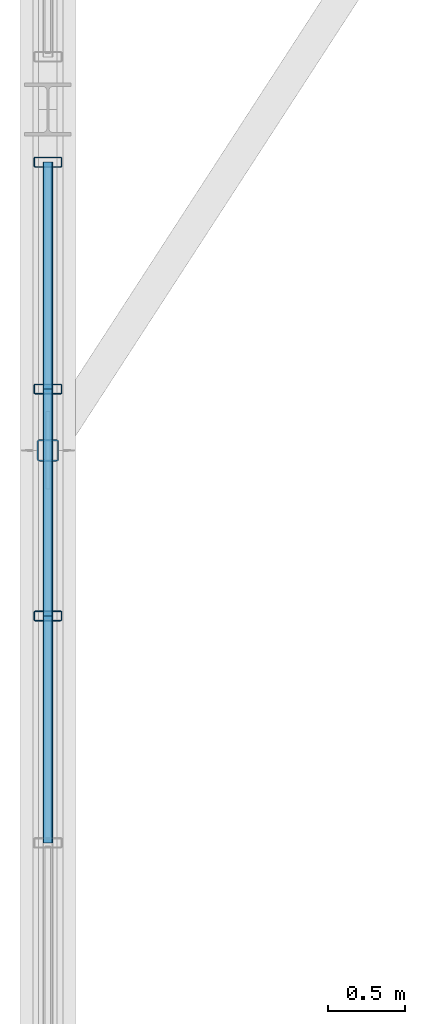
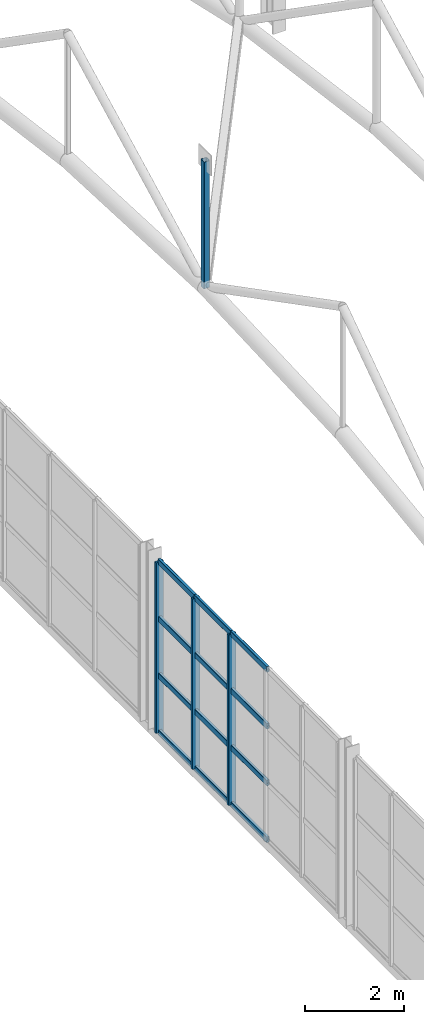
# One storey, part 33 of 153: 16 members, 1 element without a shape of its own.
"""IFC4 building model written with IfcOpenShell, lengths in metres."""

from ifc_helpers import new_model, si_unit, derived_unit, direction, frame, origin, origin_2d, place, context, subcontext, project, spatial, hollow_rectangle, extrude, material, material_profile, profile_set, type_object, element, aggregate, save


model = new_model("IFC4")

# Units and contexts
model_context = context("Model", 3, precision=1e-05, world=origin(), true_north=direction((0.0, 1.0)))
body_context = subcontext(model_context, "Body", "Model", "MODEL_VIEW")
ifc_project = project(units=[si_unit("LENGTHUNIT", "METRE"), si_unit("AREAUNIT", "SQUARE_METRE"), si_unit("VOLUMEUNIT", "CUBIC_METRE"), si_unit("PLANEANGLEUNIT", "RADIAN"), si_unit("MASSUNIT", "GRAM", prefix="KILO"), derived_unit("THERMALTRANSMITTANCEUNIT", [(si_unit("POWERUNIT", "WATT"), 1), (si_unit("LENGTHUNIT", "METRE"), -2), (si_unit("THERMODYNAMICTEMPERATUREUNIT", "KELVIN"), -1)])], contexts=[model_context])

# Site, building, storey
site_placement = place(None, origin())
site = spatial("IfcSite", under=ifc_project, at=site_placement, CompositionType="ELEMENT")
building_placement = place(site_placement, origin())
building = spatial("IfcBuilding", under=site, at=building_placement, Name="Keldorne Ridge Multi-Sports Centre", CompositionType="ELEMENT")
storey_placement = place(building_placement, frame((0.0, 0.0, 9.60009765625)))
storey = spatial("IfcBuildingStorey", under=building, at=storey_placement, Name="L02", CompositionType="ELEMENT", Elevation=9.60009765625)

# Curtain wall, members
ifc_material_1 = material(Name="Anodized aluminium", Category="aluminium")
curtain_wall_type = type_object("IfcCurtainWallType", Name="CW-CW-07", PredefinedType="NOTDEFINED", material=ifc_material_1)
curtain_wall_placement = place(storey_placement, origin())
curtain_wall = element("IfcCurtainWall", 1, at=curtain_wall_placement, inside=storey, type_object=curtain_wall_type, Name="Main Hall west high gable glazing 031", PredefinedType="NOTDEFINED")
ifc_material_profile_1 = material_profile(ifc_material_1, hollow_rectangle(XDim=0.06494140625, YDim=0.179931640625, WallThickness=0.00439453125, InnerFilletRadius=0.00439453125, OuterFilletRadius=0.009033203125, at=origin_2d()), Name="ALU MULLION 180x65x4.5")
ifc_profile_set_1 = profile_set([ifc_material_profile_1], Name="Anodized aluminium")
member_type_1 = type_object("IfcMemberType", Name="MEM-ML-01", PredefinedType="MULLION", material=ifc_profile_set_1)
member_1_placement = place(storey_placement, frame((6.0, 33.659912109375, 0.0), z_axis=(0.0, 0.0, 1.0), x_axis=(0.0, 1.0, 0.0)))
member_1 = element("IfcMember", 2, at=member_1_placement, type_object=member_type_1, Name="CW-031 vertical mullion 1", PredefinedType="MULLION", context=body_context, shape_type="SweptSolid", body=[
    extrude(hollow_rectangle(XDim=0.06494140625, YDim=0.179931640625, WallThickness=0.00439453125, InnerFilletRadius=0.00439453125, OuterFilletRadius=0.009033203125, at=origin_2d()), origin(), (0.0, 0.0, 1.0), 4.199951171875),
])
member_2_placement = place(storey_placement, frame((6.0, 32.196044921875, 0.0), z_axis=(0.0, 0.0, 1.0), x_axis=(0.0, 1.0, 0.0)))
member_2 = element("IfcMember", 3, at=member_2_placement, type_object=member_type_1, Name="CW-031 vertical mullion 2", PredefinedType="MULLION", context=body_context, shape_type="SweptSolid", body=[
    extrude(hollow_rectangle(XDim=0.06494140625, YDim=0.179931640625, WallThickness=0.00439453125, InnerFilletRadius=0.00439453125, OuterFilletRadius=0.009033203125, at=origin_2d()), origin(), (0.0, 0.0, 1.0), 4.199951171875),
])
member_3_placement = place(storey_placement, frame((6.0, 30.73193359375, 0.0), z_axis=(0.0, 0.0, 1.0), x_axis=(0.0, 1.0, 0.0)))
member_3 = element("IfcMember", 4, at=member_3_placement, type_object=member_type_1, Name="CW-031 vertical mullion 3", PredefinedType="MULLION", context=body_context, shape_type="SweptSolid", body=[
    extrude(hollow_rectangle(XDim=0.06494140625, YDim=0.179931640625, WallThickness=0.00439453125, InnerFilletRadius=0.00439453125, OuterFilletRadius=0.009033203125, at=origin_2d()), origin(), (0.0, 0.0, 1.0), 4.199951171875),
])
ifc_material_profile_2 = material_profile(ifc_material_1, hollow_rectangle(XDim=0.06494140625, YDim=0.139892578125, WallThickness=0.00439453125, InnerFilletRadius=0.00439453125, OuterFilletRadius=0.009033203125, at=origin_2d()), Name="ALU TRANSOM 140x65x4.5")
ifc_profile_set_2 = profile_set([ifc_material_profile_2], Name="Anodized aluminium")
member_type_2 = type_object("IfcMemberType", Name="MEM-TR-01", PredefinedType="USERDEFINED", material=ifc_profile_set_2)
member_4_placement = place(storey_placement, frame((6.0, 33.659912109375, 0.0), z_axis=(0.0, -1.0, 0.0), x_axis=(1.0, 0.0, 0.0)))
member_4 = element("IfcMember", 5, at=member_4_placement, type_object=member_type_2, Name="CW-031 transom 1.1", ObjectType="TRANSOM", PredefinedType="USERDEFINED", context=body_context, shape_type="SweptSolid", body=[
    extrude(hollow_rectangle(XDim=0.06494140625, YDim=0.139892578125, WallThickness=0.00439453125, InnerFilletRadius=0.00439453125, OuterFilletRadius=0.009033203125, at=origin_2d()), origin(), (0.0, 0.0, 1.0), 1.4638671875),
])
member_5_placement = place(storey_placement, frame((6.0, 33.659912109375, 1.39990234375), z_axis=(0.0, -1.0, 0.0), x_axis=(1.0, 0.0, 0.0)))
member_5 = element("IfcMember", 6, at=member_5_placement, type_object=member_type_2, Name="CW-031 transom 1.2", ObjectType="TRANSOM", PredefinedType="USERDEFINED", context=body_context, shape_type="SweptSolid", body=[
    extrude(hollow_rectangle(XDim=0.06494140625, YDim=0.139892578125, WallThickness=0.00439453125, InnerFilletRadius=0.00439453125, OuterFilletRadius=0.009033203125, at=origin_2d()), origin(), (0.0, 0.0, 1.0), 1.4638671875),
])
member_6_placement = place(storey_placement, frame((6.0, 33.659912109375, 2.7998046875), z_axis=(0.0, -1.0, 0.0), x_axis=(1.0, 0.0, 0.0)))
member_6 = element("IfcMember", 7, at=member_6_placement, type_object=member_type_2, Name="CW-031 transom 1.3", ObjectType="TRANSOM", PredefinedType="USERDEFINED", context=body_context, shape_type="SweptSolid", body=[
    extrude(hollow_rectangle(XDim=0.06494140625, YDim=0.139892578125, WallThickness=0.00439453125, InnerFilletRadius=0.00439453125, OuterFilletRadius=0.009033203125, at=origin_2d()), origin(), (0.0, 0.0, 1.0), 1.4638671875),
])
member_7_placement = place(storey_placement, frame((6.0, 33.659912109375, 4.199951171875), z_axis=(0.0, -1.0, 0.0), x_axis=(1.0, 0.0, 0.0)))
member_7 = element("IfcMember", 8, at=member_7_placement, type_object=member_type_2, Name="CW-031 transom 1.4", ObjectType="TRANSOM", PredefinedType="USERDEFINED", context=body_context, shape_type="SweptSolid", body=[
    extrude(hollow_rectangle(XDim=0.06494140625, YDim=0.139892578125, WallThickness=0.00439453125, InnerFilletRadius=0.00439453125, OuterFilletRadius=0.009033203125, at=origin_2d()), origin(), (0.0, 0.0, 1.0), 1.4638671875),
])
member_8_placement = place(storey_placement, frame((6.0, 32.196044921875, 0.0), z_axis=(0.0, -1.0, 0.0), x_axis=(1.0, 0.0, 0.0)))
member_8 = element("IfcMember", 9, at=member_8_placement, type_object=member_type_2, Name="CW-031 transom 2.1", ObjectType="TRANSOM", PredefinedType="USERDEFINED", context=body_context, shape_type="SweptSolid", body=[
    extrude(hollow_rectangle(XDim=0.06494140625, YDim=0.139892578125, WallThickness=0.00439453125, InnerFilletRadius=0.00439453125, OuterFilletRadius=0.009033203125, at=origin_2d()), origin(), (0.0, 0.0, 1.0), 1.464111328125),
])
member_9_placement = place(storey_placement, frame((6.0, 32.196044921875, 1.39990234375), z_axis=(0.0, -1.0, 0.0), x_axis=(1.0, 0.0, 0.0)))
member_9 = element("IfcMember", 10, at=member_9_placement, type_object=member_type_2, Name="CW-031 transom 2.2", ObjectType="TRANSOM", PredefinedType="USERDEFINED", context=body_context, shape_type="SweptSolid", body=[
    extrude(hollow_rectangle(XDim=0.06494140625, YDim=0.139892578125, WallThickness=0.00439453125, InnerFilletRadius=0.00439453125, OuterFilletRadius=0.009033203125, at=origin_2d()), origin(), (0.0, 0.0, 1.0), 1.464111328125),
])
member_10_placement = place(storey_placement, frame((6.0, 32.196044921875, 2.7998046875), z_axis=(0.0, -1.0, 0.0), x_axis=(1.0, 0.0, 0.0)))
member_10 = element("IfcMember", 11, at=member_10_placement, type_object=member_type_2, Name="CW-031 transom 2.3", ObjectType="TRANSOM", PredefinedType="USERDEFINED", context=body_context, shape_type="SweptSolid", body=[
    extrude(hollow_rectangle(XDim=0.06494140625, YDim=0.139892578125, WallThickness=0.00439453125, InnerFilletRadius=0.00439453125, OuterFilletRadius=0.009033203125, at=origin_2d()), origin(), (0.0, 0.0, 1.0), 1.464111328125),
])
member_11_placement = place(storey_placement, frame((6.0, 32.196044921875, 4.199951171875), z_axis=(0.0, -1.0, 0.0), x_axis=(1.0, 0.0, 0.0)))
member_11 = element("IfcMember", 12, at=member_11_placement, type_object=member_type_2, Name="CW-031 transom 2.4", ObjectType="TRANSOM", PredefinedType="USERDEFINED", context=body_context, shape_type="SweptSolid", body=[
    extrude(hollow_rectangle(XDim=0.06494140625, YDim=0.139892578125, WallThickness=0.00439453125, InnerFilletRadius=0.00439453125, OuterFilletRadius=0.009033203125, at=origin_2d()), origin(), (0.0, 0.0, 1.0), 1.464111328125),
])
member_12_placement = place(storey_placement, frame((6.0, 30.73193359375, 0.0), z_axis=(0.0, -1.0, 0.0), x_axis=(1.0, 0.0, 0.0)))
member_12 = element("IfcMember", 13, at=member_12_placement, type_object=member_type_2, Name="CW-031 transom 3.1", ObjectType="TRANSOM", PredefinedType="USERDEFINED", context=body_context, shape_type="SweptSolid", body=[
    extrude(hollow_rectangle(XDim=0.06494140625, YDim=0.139892578125, WallThickness=0.00439453125, InnerFilletRadius=0.00439453125, OuterFilletRadius=0.009033203125, at=origin_2d()), origin(), (0.0, 0.0, 1.0), 1.4638671875),
])
member_13_placement = place(storey_placement, frame((6.0, 30.73193359375, 1.39990234375), z_axis=(0.0, -1.0, 0.0), x_axis=(1.0, 0.0, 0.0)))
member_13 = element("IfcMember", 14, at=member_13_placement, type_object=member_type_2, Name="CW-031 transom 3.2", ObjectType="TRANSOM", PredefinedType="USERDEFINED", context=body_context, shape_type="SweptSolid", body=[
    extrude(hollow_rectangle(XDim=0.06494140625, YDim=0.139892578125, WallThickness=0.00439453125, InnerFilletRadius=0.00439453125, OuterFilletRadius=0.009033203125, at=origin_2d()), origin(), (0.0, 0.0, 1.0), 1.4638671875),
])
member_14_placement = place(storey_placement, frame((6.0, 30.73193359375, 2.7998046875), z_axis=(0.0, -1.0, 0.0), x_axis=(1.0, 0.0, 0.0)))
member_14 = element("IfcMember", 15, at=member_14_placement, type_object=member_type_2, Name="CW-031 transom 3.3", ObjectType="TRANSOM", PredefinedType="USERDEFINED", context=body_context, shape_type="SweptSolid", body=[
    extrude(hollow_rectangle(XDim=0.06494140625, YDim=0.139892578125, WallThickness=0.00439453125, InnerFilletRadius=0.00439453125, OuterFilletRadius=0.009033203125, at=origin_2d()), origin(), (0.0, 0.0, 1.0), 1.4638671875),
])
member_15_placement = place(storey_placement, frame((6.0, 30.73193359375, 4.199951171875), z_axis=(0.0, -1.0, 0.0), x_axis=(1.0, 0.0, 0.0)))
member_15 = element("IfcMember", 16, at=member_15_placement, type_object=member_type_2, Name="CW-031 transom 3.4", ObjectType="TRANSOM", PredefinedType="USERDEFINED", context=body_context, shape_type="SweptSolid", body=[
    extrude(hollow_rectangle(XDim=0.06494140625, YDim=0.139892578125, WallThickness=0.00439453125, InnerFilletRadius=0.00439453125, OuterFilletRadius=0.009033203125, at=origin_2d()), origin(), (0.0, 0.0, 1.0), 1.4638671875),
])
aggregate(curtain_wall, [member_1, member_2, member_3, member_4, member_5, member_6, member_7, member_8, member_9, member_10, member_11, member_12, member_13, member_14, member_15])

# Member
ifc_material_2 = material(Name="Steel S355", Category="steel")
ifc_material_profile_3 = material_profile(ifc_material_2, hollow_rectangle(XDim=0.139892578125, YDim=0.139892578125, WallThickness=0.008056640625, InnerFilletRadius=0.008056640625, OuterFilletRadius=0.01611328125, at=origin_2d()), Name="SHS 140x140x8")
ifc_profile_set_3 = profile_set([ifc_material_profile_3], Name="Steel S355")
member_type_3 = type_object("IfcMemberType", Name="MEM-TV-04", PredefinedType="STRUT", material=ifc_profile_set_3)
member_16_placement = place(storey_placement, frame((6.0, 31.800048828125, 12.099853515625), z_axis=(0.0, 0.0, 1.0), x_axis=(1.0, 0.0, 0.0)))
element("IfcMember", 17, at=member_16_placement, inside=storey, type_object=member_type_3, Name="Main Hall ROOF TRUSS AT-01 vertical 5", PredefinedType="STRUT", context=body_context, shape_type="SweptSolid", body=[
    extrude(hollow_rectangle(XDim=0.139892578125, YDim=0.139892578125, WallThickness=0.008056640625, InnerFilletRadius=0.008056640625, OuterFilletRadius=0.01611328125, at=origin_2d()), origin(), (0.0, 0.0, 1.0), 3.1201171875),
])

save(model, "model.ifc")
